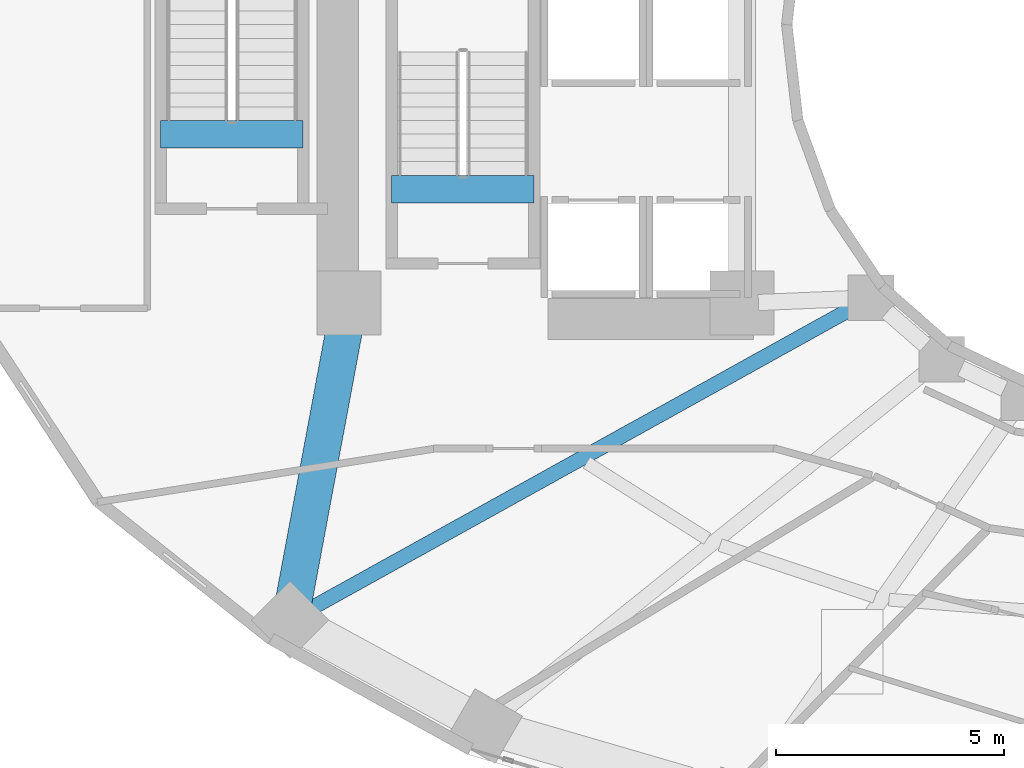
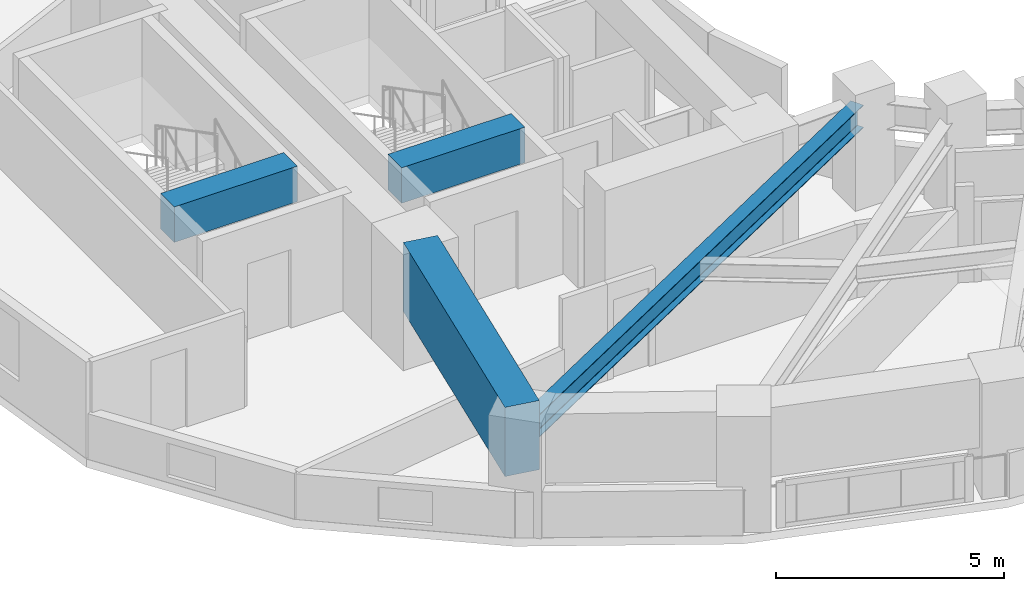
# One storey, part 3 of 22: 4 beams.
"""IFC4 building model written with IfcOpenShell, lengths in metres."""

from ifc_helpers import new_model, si_unit, direction, frame, origin, origin_2d, place, context, subcontext, project, spatial, rectangle, i_section, extrude, material, material_profile, profile_set, type_object, element, save


model = new_model("IFC4")

# Units and contexts
model_context = context("Model", 3, precision=1e-05, world=origin(), true_north=direction((0.0, 1.0)))
body_context = subcontext(model_context, "Body", "Model", "MODEL_VIEW")
ifc_project = project(units=[si_unit("LENGTHUNIT", "METRE"), si_unit("AREAUNIT", "SQUARE_METRE"), si_unit("VOLUMEUNIT", "CUBIC_METRE"), si_unit("PLANEANGLEUNIT", "RADIAN"), si_unit("MASSUNIT", "GRAM", prefix="KILO")], contexts=[model_context])

# Site, building, storey
site_placement = place(None, origin())
site = spatial("IfcSite", under=ifc_project, at=site_placement, CompositionType="ELEMENT")
building_placement = place(site_placement, origin())
building = spatial("IfcBuilding", under=site, at=building_placement, Name="Solvane Sanctuary Tower", CompositionType="ELEMENT")
storey_placement = place(building_placement, frame((0.0, 0.0, 43.10009765625)))
storey = spatial("IfcBuildingStorey", under=building, at=storey_placement, Name="L12", CompositionType="ELEMENT", Elevation=43.10009765625)

# Beams
ifc_material_1 = material(Name="Concrete C70/85", Category="concrete")
ifc_material_profile_1 = material_profile(ifc_material_1, rectangle(XDim=0.60009765625, YDim=0.949951171875, at=origin_2d()), Name="RC600X950")
ifc_profile_set_1 = profile_set([ifc_material_profile_1], Name="Concrete C70/85")
beam_type_1 = type_object("IfcBeamType", Name="Beam B-COUPLE RC600X950", PredefinedType="LINTEL", material=ifc_profile_set_1)
for number, where, z_axis, x_axis, name in (
    (1, (16.22998046875, 19.399169921875, 2.625), (1.0, 0.0, 0.0), (0.0, 1.0, 0.0), "L12 ST-1 Stair Floor Landing Trimmer"),
    (2, (11.169921875, 20.59912109375, 2.625), (1.0, 0.0, 0.0), (0.0, 1.0, 0.0), "L12 ST-3 Stair Floor Landing Trimmer"),
):
    element("IfcBeam", number, at=place(storey_placement, frame(where, z_axis=z_axis, x_axis=x_axis)), inside=storey, type_object=beam_type_1, Name=name, PredefinedType="LINTEL", context=body_context, shape_type="SweptSolid", body=[
        extrude(rectangle(XDim=0.60009765625, YDim=0.949951171875, at=origin_2d()), origin(), (0.0, 0.0, 1.0), 3.1201171875),
    ])
ifc_material_2 = material(Name="Steel ASTM A992 Grade 50", Category="steel")
ifc_material_profile_2 = material_profile(ifc_material_2, i_section(OverallWidth=0.323974609375, OverallDepth=0.611083984375, WebThickness=0.0126953125, FlangeThickness=0.01904296875, FilletRadius=0.01611328125, at=origin_2d()), Name="W24X104")
ifc_profile_set_2 = profile_set([ifc_material_profile_2], Name="Steel ASTM A992 Grade 50")
beam_type_2 = type_object("IfcBeamType", Name="Beam B-RAD-Z1 W24X104", PredefinedType="BEAM", material=ifc_profile_set_2)
beam_1_placement = place(storey_placement, frame((26.47998046875, 16.882080078125, 2.29248046875), z_axis=(-0.87449641157, -0.485031984668, 0.0), x_axis=(0.485031984668, -0.87449641157, 0.0)))
element("IfcBeam", 3, at=beam_1_placement, inside=storey, type_object=beam_type_2, Name="L12 Radial Composite Floor Beam 08", PredefinedType="BEAM", context=body_context, shape_type="SweptSolid", body=[
    extrude(i_section(OverallWidth=0.323974609375, OverallDepth=0.611083984375, WebThickness=0.0126953125, FlangeThickness=0.01904296875, FilletRadius=0.01611328125, at=origin_2d()), origin(), (0.0, 0.0, 1.0), 13.9814453125),
])
ifc_material_profile_3 = material_profile(ifc_material_1, rectangle(XDim=0.800048828125, YDim=1.85009765625, at=origin_2d()), Name="RC800X1850")
ifc_profile_set_3 = profile_set([ifc_material_profile_3], Name="Concrete C70/85")
beam_type_3 = type_object("IfcBeamType", Name="Beam B-XFER-BLK RC800X1850", PredefinedType="BEAM", material=ifc_profile_set_3)
beam_2_placement = place(storey_placement, frame((15.234130859375, 16.546142578125, 2.1748046875), z_axis=(-0.183103823442, -0.983093581426, 0.0), x_axis=(0.983093581426, -0.183103823442, 0.0)))
element("IfcBeam", 4, at=beam_2_placement, inside=storey, type_object=beam_type_3, Name="L12 Perimeter Step Transfer Ring CW1-NTC08", PredefinedType="BEAM", context=body_context, shape_type="SweptSolid", body=[
    extrude(rectangle(XDim=0.800048828125, YDim=1.85009765625, at=origin_2d()), origin(), (0.0, 0.0, 1.0), 6.69482421875),
])

save(model, "model.ifc")
